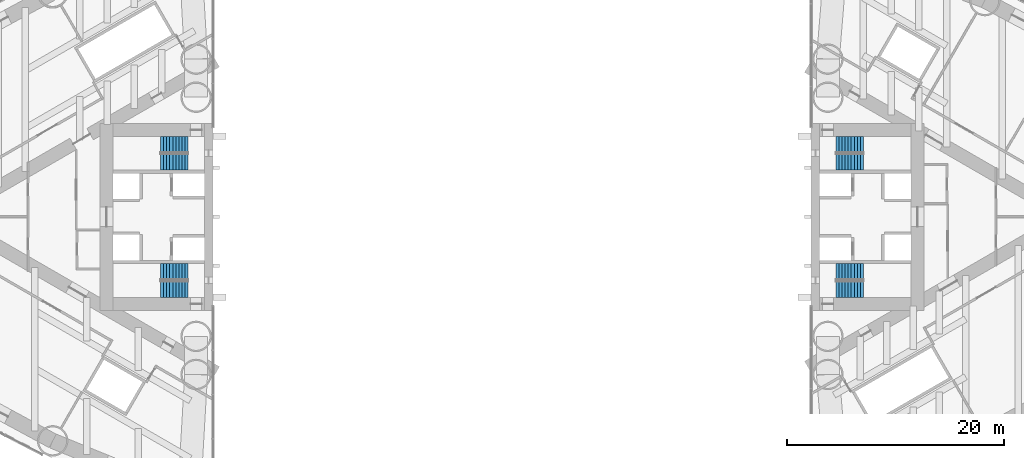
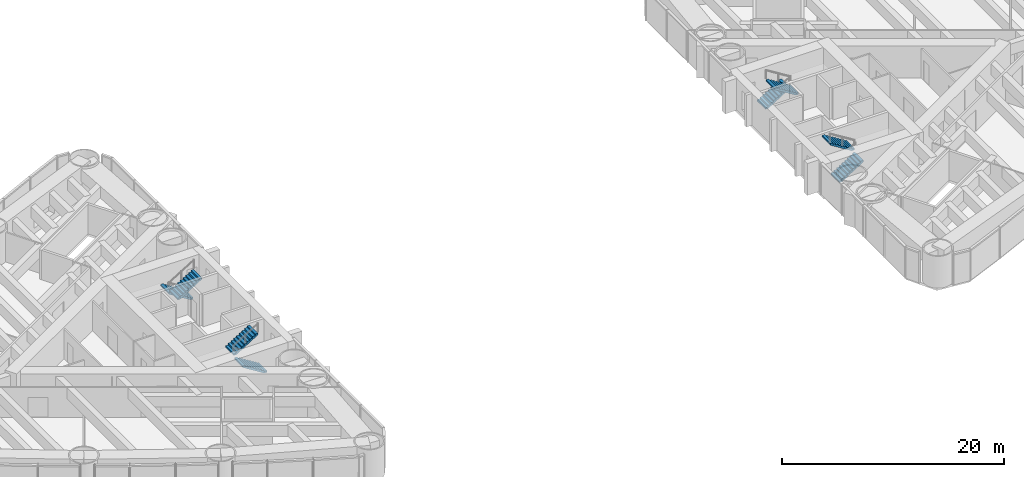
# One storey, part 19 of 20: 8 stair flights, 4 elements without a shape of their own.
"""IFC4 building model written with IfcOpenShell, lengths in metres."""

from ifc_helpers import new_model, si_unit, direction, frame, origin, place, context, subcontext, project, spatial, polyline, outline, extrude, material, type_object, element, aggregate, save


model = new_model("IFC4")

# Units and contexts
model_context = context("Model", 3, precision=1e-05, world=origin(), true_north=direction((0.0, 1.0)))
body_context = subcontext(model_context, "Body", "Model", "MODEL_VIEW")
ifc_project = project(units=[si_unit("LENGTHUNIT", "METRE"), si_unit("AREAUNIT", "SQUARE_METRE"), si_unit("VOLUMEUNIT", "CUBIC_METRE"), si_unit("PLANEANGLEUNIT", "RADIAN"), si_unit("MASSUNIT", "GRAM", prefix="KILO")], contexts=[model_context])

# Site, building, storey
site_placement = place(None, origin())
site = spatial("IfcSite", under=ifc_project, at=site_placement, CompositionType="ELEMENT")
building_placement = place(site_placement, origin())
building = spatial("IfcBuilding", under=site, at=building_placement, Name="Lancet Gate Hotel", CompositionType="ELEMENT")
storey_placement = place(building_placement, frame((0.0, 0.0, 77.5)))
storey = spatial("IfcBuildingStorey", under=building, at=storey_placement, Name="L20", CompositionType="ELEMENT", Elevation=77.5)

# Stair, stair flights
ifc_material_1 = material(Name="Exit stair 20 risers 1500")
stair_type = type_object("IfcStairType", Name="Exit stair 20 risers 1500", PredefinedType="HALF_TURN_STAIR", material=ifc_material_1)
stair_1_placement = place(storey_placement, origin())
stair_1 = element("IfcStair", 1, at=stair_1_placement, inside=storey, type_object=stair_type, Name="T1 stair 1 L20", PredefinedType="HALF_TURN_STAIR")
ifc_material_2 = material(Name="Stair flight 10 risers 175 rise 1500")
stair_flight_type = type_object("IfcStairFlightType", Name="Stair flight 10 risers 175 rise 1500", PredefinedType="STRAIGHT", material=ifc_material_2)
stair_flight_1_placement = place(storey_placement, frame((-29.800048828125, 6.64990234375, 0.0), z_axis=(0.0, 0.0, 1.0), x_axis=(-1.0, 0.0, 0.0)))
stair_flight_1 = element("IfcStairFlight", 2, at=stair_flight_1_placement, type_object=stair_flight_type, Name="ST1 flight 1", NumberOfRisers=10, NumberOfTreads=9, PredefinedType="STRAIGHT", RiserHeight=0.175, TreadLength=0.28, context=body_context, shape_type="SweptSolid", body=[
    extrude(outline(polyline([(0.0, 0.0), (0.0, 0.175048828125), (0.280029296875, 0.175048828125), (0.280029296875, 0.35009765625), (0.56005859375, 0.35009765625), (0.56005859375, 0.52490234375), (0.840087890625, 0.52490234375), (0.840087890625, 0.699951171875), (1.1201171875, 0.699951171875), (1.1201171875, 0.875), (1.39990234375, 0.875), (1.39990234375, 1.050048828125), (1.679931640625, 1.050048828125), (1.679931640625, 1.22509765625), (1.9599609375, 1.22509765625), (1.9599609375, 1.39990234375), (2.239990234375, 1.39990234375), (2.239990234375, 1.574951171875), (2.52001953125, 1.574951171875), (2.52001953125, 1.75), (2.52001953125, 1.398193359375), (0.28271484375, 0.0), (0.0, 0.0)])), frame((0.0, 0.75, 0.0), z_axis=(0.0, -1.0, 0.0), x_axis=(1.0, 0.0, 0.0)), (0.0, 0.0, 1.0), 1.5),
])
stair_flight_2_placement = place(storey_placement, frame((-32.320068359375, 5.050048828125, 1.75), z_axis=(0.0, 0.0, 1.0), x_axis=(1.0, 0.0, 0.0)))
stair_flight_2 = element("IfcStairFlight", 3, at=stair_flight_2_placement, type_object=stair_flight_type, Name="ST1 flight 2", NumberOfRisers=10, NumberOfTreads=9, PredefinedType="STRAIGHT", RiserHeight=0.175, TreadLength=0.28, context=body_context, shape_type="SweptSolid", body=[
    extrude(outline(polyline([(0.0, 0.0), (0.0, 0.175048828125), (0.280029296875, 0.175048828125), (0.280029296875, 0.35009765625), (0.56005859375, 0.35009765625), (0.56005859375, 0.52490234375), (0.840087890625, 0.52490234375), (0.840087890625, 0.699951171875), (1.1201171875, 0.699951171875), (1.1201171875, 0.875), (1.39990234375, 0.875), (1.39990234375, 1.050048828125), (1.679931640625, 1.050048828125), (1.679931640625, 1.22509765625), (1.9599609375, 1.22509765625), (1.9599609375, 1.39990234375), (2.239990234375, 1.39990234375), (2.239990234375, 1.574951171875), (2.52001953125, 1.574951171875), (2.52001953125, 1.75), (2.52001953125, 1.398193359375), (0.28271484375, 0.0), (0.0, 0.0)])), frame((0.0, 0.75, 0.0), z_axis=(0.0, -1.0, 0.0), x_axis=(1.0, 0.0, 0.0)), (0.0, 0.0, 1.0), 1.5),
])
aggregate(stair_1, [stair_flight_1, stair_flight_2])

stair_2_placement = place(storey_placement, origin())
stair_2 = element("IfcStair", 4, at=stair_2_placement, inside=storey, type_object=stair_type, Name="T1 stair 2 L20", PredefinedType="HALF_TURN_STAIR")
stair_flight_3_placement = place(storey_placement, frame((-29.800048828125, -6.64990234375, 0.0), z_axis=(0.0, 0.0, 1.0), x_axis=(-1.0, 0.0, 0.0)))
stair_flight_3 = element("IfcStairFlight", 5, at=stair_flight_3_placement, type_object=stair_flight_type, Name="ST2 flight 1", NumberOfRisers=10, NumberOfTreads=9, PredefinedType="STRAIGHT", RiserHeight=0.175, TreadLength=0.28, context=body_context, shape_type="SweptSolid", body=[
    extrude(outline(polyline([(0.0, 0.0), (0.0, 0.175048828125), (0.280029296875, 0.175048828125), (0.280029296875, 0.35009765625), (0.56005859375, 0.35009765625), (0.56005859375, 0.52490234375), (0.840087890625, 0.52490234375), (0.840087890625, 0.699951171875), (1.1201171875, 0.699951171875), (1.1201171875, 0.875), (1.39990234375, 0.875), (1.39990234375, 1.050048828125), (1.679931640625, 1.050048828125), (1.679931640625, 1.22509765625), (1.9599609375, 1.22509765625), (1.9599609375, 1.39990234375), (2.239990234375, 1.39990234375), (2.239990234375, 1.574951171875), (2.52001953125, 1.574951171875), (2.52001953125, 1.75), (2.52001953125, 1.398193359375), (0.28271484375, 0.0), (0.0, 0.0)])), frame((0.0, 0.75, 0.0), z_axis=(0.0, -1.0, 0.0), x_axis=(1.0, 0.0, 0.0)), (0.0, 0.0, 1.0), 1.5),
])
stair_flight_4_placement = place(storey_placement, frame((-32.320068359375, -5.050048828125, 1.75), z_axis=(0.0, 0.0, 1.0), x_axis=(1.0, 0.0, 0.0)))
stair_flight_4 = element("IfcStairFlight", 6, at=stair_flight_4_placement, type_object=stair_flight_type, Name="ST2 flight 2", NumberOfRisers=10, NumberOfTreads=9, PredefinedType="STRAIGHT", RiserHeight=0.175, TreadLength=0.28, context=body_context, shape_type="SweptSolid", body=[
    extrude(outline(polyline([(0.0, 0.0), (0.0, 0.175048828125), (0.280029296875, 0.175048828125), (0.280029296875, 0.35009765625), (0.56005859375, 0.35009765625), (0.56005859375, 0.52490234375), (0.840087890625, 0.52490234375), (0.840087890625, 0.699951171875), (1.1201171875, 0.699951171875), (1.1201171875, 0.875), (1.39990234375, 0.875), (1.39990234375, 1.050048828125), (1.679931640625, 1.050048828125), (1.679931640625, 1.22509765625), (1.9599609375, 1.22509765625), (1.9599609375, 1.39990234375), (2.239990234375, 1.39990234375), (2.239990234375, 1.574951171875), (2.52001953125, 1.574951171875), (2.52001953125, 1.75), (2.52001953125, 1.398193359375), (0.28271484375, 0.0), (0.0, 0.0)])), frame((0.0, 0.75, 0.0), z_axis=(0.0, -1.0, 0.0), x_axis=(1.0, 0.0, 0.0)), (0.0, 0.0, 1.0), 1.5),
])
aggregate(stair_2, [stair_flight_3, stair_flight_4])

stair_3_placement = place(storey_placement, origin())
stair_3 = element("IfcStair", 7, at=stair_3_placement, inside=storey, type_object=stair_type, Name="T2 stair 1 L20", PredefinedType="HALF_TURN_STAIR")
stair_flight_5_placement = place(storey_placement, frame((29.800048828125, -6.64990234375, 0.0), z_axis=(0.0, 0.0, 1.0), x_axis=(1.0, 0.0, 0.0)))
stair_flight_5 = element("IfcStairFlight", 8, at=stair_flight_5_placement, type_object=stair_flight_type, Name="ST3 flight 1", NumberOfRisers=10, NumberOfTreads=9, PredefinedType="STRAIGHT", RiserHeight=0.175, TreadLength=0.28, context=body_context, shape_type="SweptSolid", body=[
    extrude(outline(polyline([(0.0, 0.0), (0.0, 0.175048828125), (0.280029296875, 0.175048828125), (0.280029296875, 0.35009765625), (0.56005859375, 0.35009765625), (0.56005859375, 0.52490234375), (0.840087890625, 0.52490234375), (0.840087890625, 0.699951171875), (1.1201171875, 0.699951171875), (1.1201171875, 0.875), (1.39990234375, 0.875), (1.39990234375, 1.050048828125), (1.679931640625, 1.050048828125), (1.679931640625, 1.22509765625), (1.9599609375, 1.22509765625), (1.9599609375, 1.39990234375), (2.239990234375, 1.39990234375), (2.239990234375, 1.574951171875), (2.52001953125, 1.574951171875), (2.52001953125, 1.75), (2.52001953125, 1.398193359375), (0.28271484375, 0.0), (0.0, 0.0)])), frame((0.0, 0.75, 0.0), z_axis=(0.0, -1.0, 0.0), x_axis=(1.0, 0.0, 0.0)), (0.0, 0.0, 1.0), 1.5),
])
stair_flight_6_placement = place(storey_placement, frame((32.320068359375, -5.050048828125, 1.75), z_axis=(0.0, 0.0, 1.0), x_axis=(-1.0, 0.0, 0.0)))
stair_flight_6 = element("IfcStairFlight", 9, at=stair_flight_6_placement, type_object=stair_flight_type, Name="ST3 flight 2", NumberOfRisers=10, NumberOfTreads=9, PredefinedType="STRAIGHT", RiserHeight=0.175, TreadLength=0.28, context=body_context, shape_type="SweptSolid", body=[
    extrude(outline(polyline([(0.0, 0.0), (0.0, 0.175048828125), (0.280029296875, 0.175048828125), (0.280029296875, 0.35009765625), (0.56005859375, 0.35009765625), (0.56005859375, 0.52490234375), (0.840087890625, 0.52490234375), (0.840087890625, 0.699951171875), (1.1201171875, 0.699951171875), (1.1201171875, 0.875), (1.39990234375, 0.875), (1.39990234375, 1.050048828125), (1.679931640625, 1.050048828125), (1.679931640625, 1.22509765625), (1.9599609375, 1.22509765625), (1.9599609375, 1.39990234375), (2.239990234375, 1.39990234375), (2.239990234375, 1.574951171875), (2.52001953125, 1.574951171875), (2.52001953125, 1.75), (2.52001953125, 1.398193359375), (0.28271484375, 0.0), (0.0, 0.0)])), frame((0.0, 0.75, 0.0), z_axis=(0.0, -1.0, 0.0), x_axis=(1.0, 0.0, 0.0)), (0.0, 0.0, 1.0), 1.5),
])
aggregate(stair_3, [stair_flight_5, stair_flight_6])

stair_4_placement = place(storey_placement, origin())
stair_4 = element("IfcStair", 10, at=stair_4_placement, inside=storey, type_object=stair_type, Name="T2 stair 2 L20", PredefinedType="HALF_TURN_STAIR")
stair_flight_7_placement = place(storey_placement, frame((29.800048828125, 6.64990234375, 0.0), z_axis=(0.0, 0.0, 1.0), x_axis=(1.0, 0.0, 0.0)))
stair_flight_7 = element("IfcStairFlight", 11, at=stair_flight_7_placement, type_object=stair_flight_type, Name="ST4 flight 1", NumberOfRisers=10, NumberOfTreads=9, PredefinedType="STRAIGHT", RiserHeight=0.175, TreadLength=0.28, context=body_context, shape_type="SweptSolid", body=[
    extrude(outline(polyline([(0.0, 0.0), (0.0, 0.175048828125), (0.280029296875, 0.175048828125), (0.280029296875, 0.35009765625), (0.56005859375, 0.35009765625), (0.56005859375, 0.52490234375), (0.840087890625, 0.52490234375), (0.840087890625, 0.699951171875), (1.1201171875, 0.699951171875), (1.1201171875, 0.875), (1.39990234375, 0.875), (1.39990234375, 1.050048828125), (1.679931640625, 1.050048828125), (1.679931640625, 1.22509765625), (1.9599609375, 1.22509765625), (1.9599609375, 1.39990234375), (2.239990234375, 1.39990234375), (2.239990234375, 1.574951171875), (2.52001953125, 1.574951171875), (2.52001953125, 1.75), (2.52001953125, 1.398193359375), (0.28271484375, 0.0), (0.0, 0.0)])), frame((0.0, 0.75, 0.0), z_axis=(0.0, -1.0, 0.0), x_axis=(1.0, 0.0, 0.0)), (0.0, 0.0, 1.0), 1.5),
])
stair_flight_8_placement = place(storey_placement, frame((32.320068359375, 5.050048828125, 1.75), z_axis=(0.0, 0.0, 1.0), x_axis=(-1.0, 0.0, 0.0)))
stair_flight_8 = element("IfcStairFlight", 12, at=stair_flight_8_placement, type_object=stair_flight_type, Name="ST4 flight 2", NumberOfRisers=10, NumberOfTreads=9, PredefinedType="STRAIGHT", RiserHeight=0.175, TreadLength=0.28, context=body_context, shape_type="SweptSolid", body=[
    extrude(outline(polyline([(0.0, 0.0), (0.0, 0.175048828125), (0.280029296875, 0.175048828125), (0.280029296875, 0.35009765625), (0.56005859375, 0.35009765625), (0.56005859375, 0.52490234375), (0.840087890625, 0.52490234375), (0.840087890625, 0.699951171875), (1.1201171875, 0.699951171875), (1.1201171875, 0.875), (1.39990234375, 0.875), (1.39990234375, 1.050048828125), (1.679931640625, 1.050048828125), (1.679931640625, 1.22509765625), (1.9599609375, 1.22509765625), (1.9599609375, 1.39990234375), (2.239990234375, 1.39990234375), (2.239990234375, 1.574951171875), (2.52001953125, 1.574951171875), (2.52001953125, 1.75), (2.52001953125, 1.398193359375), (0.28271484375, 0.0), (0.0, 0.0)])), frame((0.0, 0.75, 0.0), z_axis=(0.0, -1.0, 0.0), x_axis=(1.0, 0.0, 0.0)), (0.0, 0.0, 1.0), 1.5),
])
aggregate(stair_4, [stair_flight_7, stair_flight_8])

save(model, "model.ifc")
